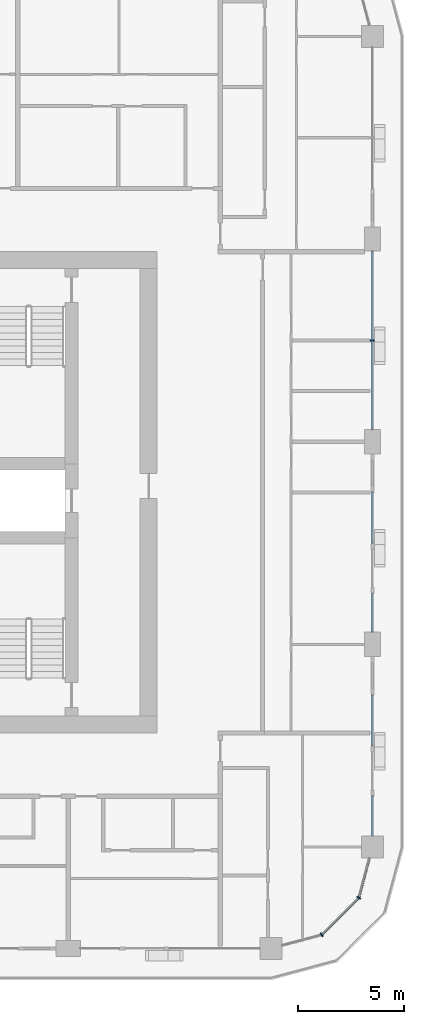
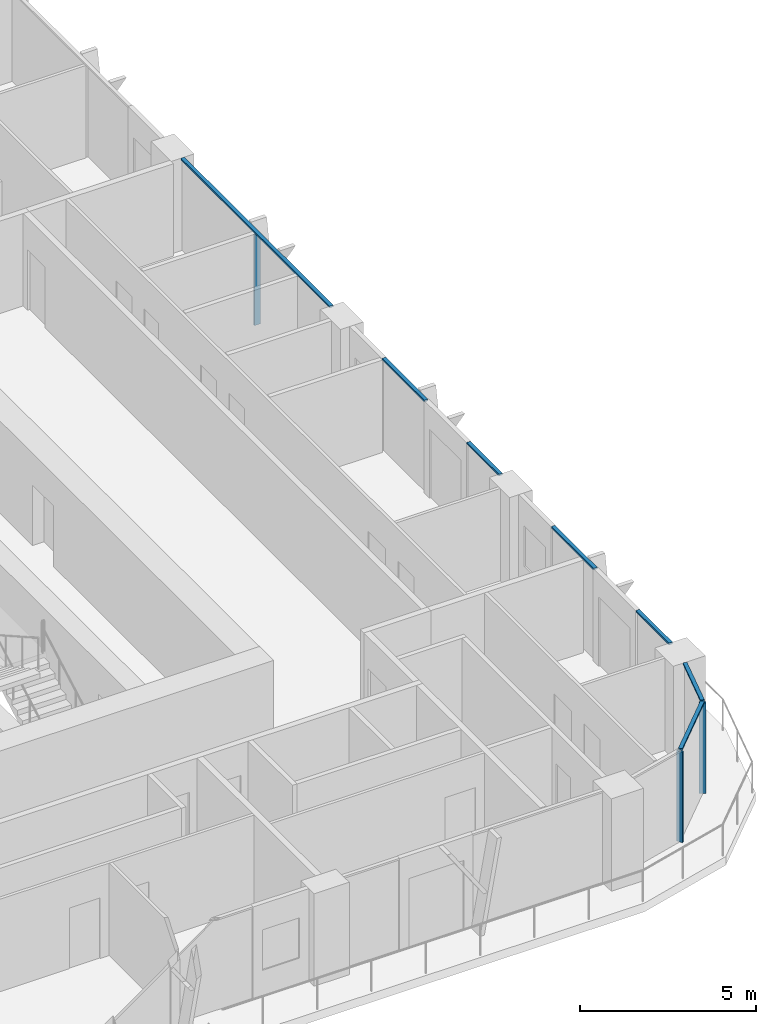
# One storey, part 4 of 22: 10 members, 4 elements without a shape of their own.
"""IFC4 building model written with IfcOpenShell, lengths in metres."""

from ifc_helpers import new_model, si_unit, direction, frame, origin, origin_2d, place, context, subcontext, project, spatial, rectangle, extrude, material, layer, layer_set, material_profile, profile_set, type_object, element, aggregate, save


model = new_model("IFC4")

# Units and contexts
model_context = context("Model", 3, precision=1e-05, world=origin(), true_north=direction((0.0, 1.0)))
body_context = subcontext(model_context, "Body", "Model", "MODEL_VIEW")
ifc_project = project(units=[si_unit("LENGTHUNIT", "METRE"), si_unit("AREAUNIT", "SQUARE_METRE"), si_unit("VOLUMEUNIT", "CUBIC_METRE"), si_unit("PLANEANGLEUNIT", "RADIAN"), si_unit("MASSUNIT", "GRAM", prefix="KILO")], contexts=[model_context])

# Site, building, storey
site_placement = place(None, origin())
site = spatial("IfcSite", under=ifc_project, at=site_placement, CompositionType="ELEMENT")
building_placement = place(site_placement, origin())
building = spatial("IfcBuilding", under=site, at=building_placement, Name="Madar Terraces", CompositionType="ELEMENT")
storey_placement = place(building_placement, frame((0.0, 0.0, 126.10009765625)))
storey = spatial("IfcBuildingStorey", under=building, at=storey_placement, Name="L32", CompositionType="ELEMENT", Elevation=126.10009765625)

# Curtain wall, member
ifc_material_1 = material(Name="Glass, ceramic frit dark grey, with black aluminium frame", Category="aluminium")
ifc_layer = layer(ifc_material_1, 0.199951171875)
ifc_layer_set = layer_set([ifc_layer], Name="Facade curtain wall, fritted glass")
curtain_wall_type = type_object("IfcCurtainWallType", Name="Facade curtain wall, fritted glass", PredefinedType="NOTDEFINED", material=ifc_layer_set)
curtain_wall_1_placement = place(storey_placement, origin())
curtain_wall_1 = element("IfcCurtainWall", 1, at=curtain_wall_1_placement, inside=storey, type_object=curtain_wall_type, Name="Outer skin curtain wall east bay 3", PredefinedType="NOTDEFINED")
ifc_material_2 = material(Name="Aluminium, black anodised", Category="aluminium")
ifc_material_profile_1 = material_profile(ifc_material_2, rectangle(XDim=0.199951171875, YDim=0.06005859375, at=origin_2d()), Name="Facade mullion 60x200")
ifc_profile_set_1 = profile_set([ifc_material_profile_1], Name="Aluminium, black anodised")
member_type_1 = type_object("IfcMemberType", Name="Facade mullion 60x200", PredefinedType="MULLION", material=ifc_profile_set_1)
member_1_placement = place(storey_placement, frame((57.60009765625, 33.60009765625, 0.0), z_axis=(0.0, 0.0, 1.0), x_axis=(-1.0, 0.0, 0.0)))
member_1 = element("IfcMember", 2, at=member_1_placement, type_object=member_type_1, Name="Mullion 1", PredefinedType="MULLION", context=body_context, shape_type="SweptSolid", body=[
    extrude(rectangle(XDim=0.199951171875, YDim=0.06005859375, at=origin_2d()), origin(), (0.0, 0.0, 1.0), 3.139892578125),
])

# Curtain wall, members
curtain_wall_2_placement = place(storey_placement, origin())
curtain_wall_2 = element("IfcCurtainWall", 3, at=curtain_wall_2_placement, inside=storey, type_object=curtain_wall_type, Name="Outer skin curtain wall south-east corner", PredefinedType="NOTDEFINED")
member_2_placement = place(storey_placement, frame((55.199951171875, 5.443115234375, 0.0), z_axis=(0.0, 0.0, 1.0), x_axis=(-0.499999989586, 0.866025409797, 0.0)))
member_2 = element("IfcMember", 4, at=member_2_placement, type_object=member_type_1, Name="Mullion 1", PredefinedType="MULLION", context=body_context, shape_type="SweptSolid", body=[
    extrude(rectangle(XDim=0.199951171875, YDim=0.06005859375, at=origin_2d()), origin(), (0.0, 0.0, 1.0), 3.139892578125),
])
member_3_placement = place(storey_placement, frame((56.95703125, 7.199951171875, 0.0), z_axis=(0.0, 0.0, 1.0), x_axis=(-0.866025409797, 0.499999989586, 0.0)))
member_3 = element("IfcMember", 5, at=member_3_placement, type_object=member_type_1, Name="Mullion 2", PredefinedType="MULLION", context=body_context, shape_type="SweptSolid", body=[
    extrude(rectangle(XDim=0.199951171875, YDim=0.06005859375, at=origin_2d()), origin(), (0.0, 0.0, 1.0), 3.139892578125),
])

curtain_wall_3_placement = place(storey_placement, origin())
curtain_wall_3 = element("IfcCurtainWall", 6, at=curtain_wall_3_placement, inside=storey, type_object=curtain_wall_type, Name="Outer skin curtain wall east bay 1", PredefinedType="NOTDEFINED")
ifc_material_3 = material(Name="Aluminium, black anodised", Category="aluminium")
ifc_material_profile_2 = material_profile(ifc_material_3, rectangle(XDim=0.1201171875, YDim=0.06005859375, at=origin_2d()), Name="Facade transom 60x120")
ifc_profile_set_2 = profile_set([ifc_material_profile_2], Name="Aluminium, black anodised")
member_type_2 = type_object("IfcMemberType", Name="Facade transom 60x120", PredefinedType="USERDEFINED", material=ifc_profile_set_2)
member_4_placement = place(storey_placement, frame((57.60009765625, 10.125, 3.169921875), z_axis=(0.0, 1.0, 0.0), x_axis=(-1.0, 0.0, 0.0)))
member_4 = element("IfcMember", 7, at=member_4_placement, type_object=member_type_2, Name="Transom 1", ObjectType="TRANSOM", PredefinedType="USERDEFINED", context=body_context, shape_type="SweptSolid", body=[
    extrude(rectangle(XDim=0.1201171875, YDim=0.06005859375, at=origin_2d()), origin(), (0.0, 0.0, 1.0), 1.875),
])
member_5_placement = place(storey_placement, frame((57.60009765625, 14.39990234375, 3.169921875), z_axis=(0.0, 1.0, 0.0), x_axis=(-1.0, 0.0, 0.0)))
member_5 = element("IfcMember", 8, at=member_5_placement, type_object=member_type_2, Name="Transom 2", ObjectType="TRANSOM", PredefinedType="USERDEFINED", context=body_context, shape_type="SweptSolid", body=[
    extrude(rectangle(XDim=0.1201171875, YDim=0.06005859375, at=origin_2d()), origin(), (0.0, 0.0, 1.0), 2.400146484375),
])
aggregate(curtain_wall_3, [member_4, member_5])

curtain_wall_4_placement = place(storey_placement, origin())
curtain_wall_4 = element("IfcCurtainWall", 9, at=curtain_wall_4_placement, inside=storey, type_object=curtain_wall_type, Name="Outer skin curtain wall east bay 2", PredefinedType="NOTDEFINED")
member_6_placement = place(storey_placement, frame((57.60009765625, 19.77490234375, 3.169921875), z_axis=(0.0, 1.0, 0.0), x_axis=(-1.0, 0.0, 0.0)))
member_6 = element("IfcMember", 10, at=member_6_placement, type_object=member_type_2, Name="Transom 1", ObjectType="TRANSOM", PredefinedType="USERDEFINED", context=body_context, shape_type="SweptSolid", body=[
    extrude(rectangle(XDim=0.1201171875, YDim=0.06005859375, at=origin_2d()), origin(), (0.0, 0.0, 1.0), 1.8251953125),
])
member_7_placement = place(storey_placement, frame((57.60009765625, 24.0, 3.169921875), z_axis=(0.0, 1.0, 0.0), x_axis=(-1.0, 0.0, 0.0)))
member_7 = element("IfcMember", 11, at=member_7_placement, type_object=member_type_2, Name="Transom 2", ObjectType="TRANSOM", PredefinedType="USERDEFINED", context=body_context, shape_type="SweptSolid", body=[
    extrude(rectangle(XDim=0.1201171875, YDim=0.06005859375, at=origin_2d()), origin(), (0.0, 0.0, 1.0), 2.39990234375),
])
aggregate(curtain_wall_4, [member_6, member_7])

# Member
member_8_placement = place(storey_placement, frame((57.60009765625, 29.375, 3.169921875), z_axis=(0.0, 1.0, 0.0), x_axis=(-1.0, 0.0, 0.0)))
member_8 = element("IfcMember", 12, at=member_8_placement, type_object=member_type_2, Name="Transom 1", ObjectType="TRANSOM", PredefinedType="USERDEFINED", context=body_context, shape_type="SweptSolid", body=[
    extrude(rectangle(XDim=0.1201171875, YDim=0.06005859375, at=origin_2d()), origin(), (0.0, 0.0, 1.0), 8.449951171875),
])

aggregate(curtain_wall_1, [member_1, member_8])

member_9_placement = place(storey_placement, frame((55.22119140625, 5.46435546875, 3.169921875), z_axis=(0.707157125196, 0.707056433593, 0.0), x_axis=(-0.707056433593, 0.707157125196, 0.0)))
member_9 = element("IfcMember", 13, at=member_9_placement, type_object=member_type_2, Name="Transom 2", ObjectType="TRANSOM", PredefinedType="USERDEFINED", context=body_context, shape_type="SweptSolid", body=[
    extrude(rectangle(XDim=0.1201171875, YDim=0.06005859375, at=origin_2d()), origin(), (0.0, 0.0, 1.0), 2.424560546875),
])

member_10_placement = place(storey_placement, frame((56.964599609375, 7.22900390625, 3.169921875), z_axis=(0.258823354654, 0.965924671538, 0.0), x_axis=(-0.965924671538, 0.258823354654, 0.0)))
member_10 = element("IfcMember", 14, at=member_10_placement, type_object=member_type_2, Name="Transom 3", ObjectType="TRANSOM", PredefinedType="USERDEFINED", context=body_context, shape_type="SweptSolid", body=[
    extrude(rectangle(XDim=0.1201171875, YDim=0.06005859375, at=origin_2d()), origin(), (0.0, 0.0, 1.0), 1.9111328125),
])

aggregate(curtain_wall_2, [member_2, member_3, member_9, member_10])

save(model, "model.ifc")
